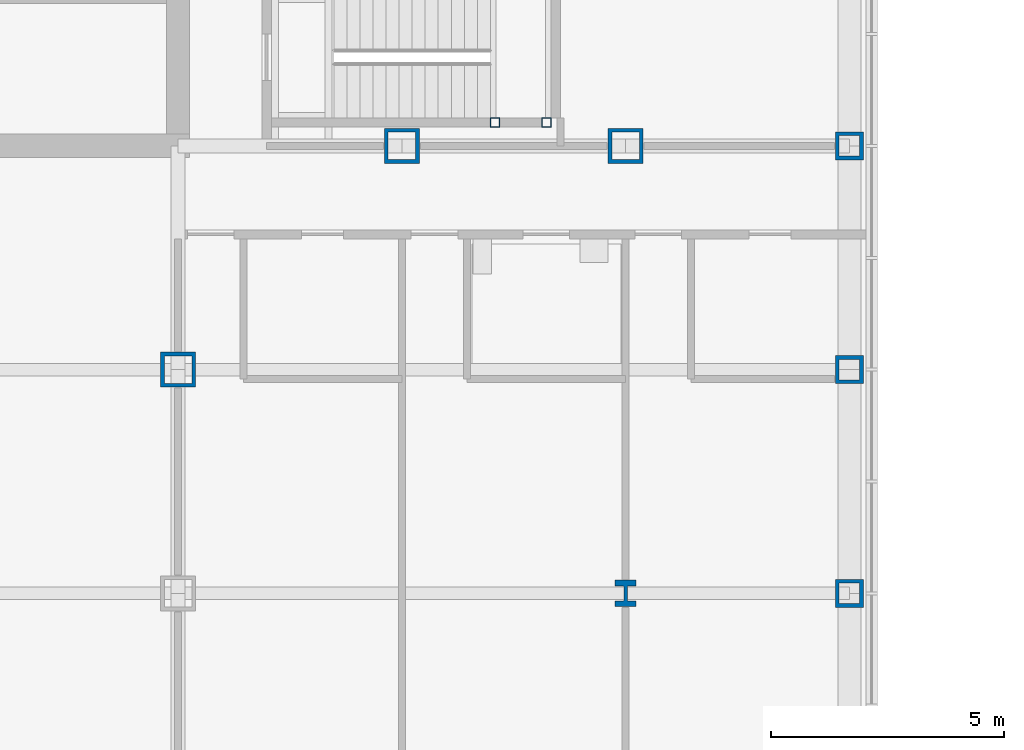
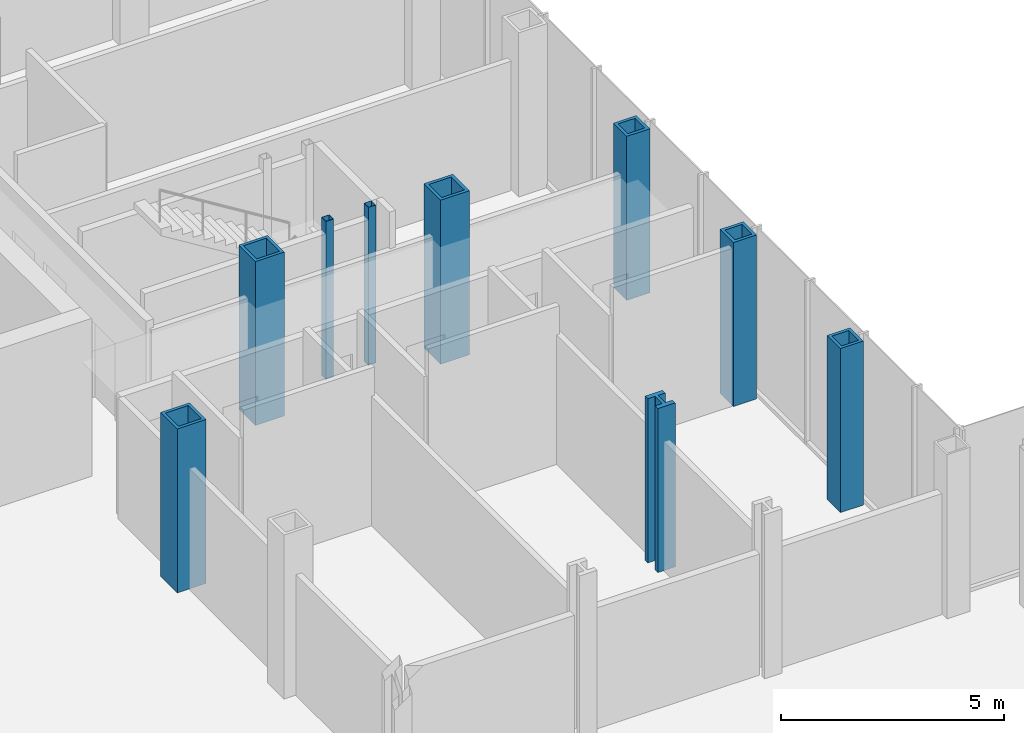
# One storey, part 6 of 25: 9 columns.
"""IFC4 building model written with IfcOpenShell, lengths in metres."""

from ifc_helpers import new_model, si_unit, direction, frame, origin, origin_2d, place, context, subcontext, project, spatial, hollow_rectangle, i_section, extrude, material, material_profile, profile_set, type_object, element, save


model = new_model("IFC4")

# Units and contexts
model_context = context("Model", 3, precision=1e-05, world=origin(), true_north=direction((0.0, 1.0)))
body_context = subcontext(model_context, "Body", "Model", "MODEL_VIEW")
ifc_project = project(units=[si_unit("LENGTHUNIT", "METRE"), si_unit("AREAUNIT", "SQUARE_METRE"), si_unit("VOLUMEUNIT", "CUBIC_METRE"), si_unit("PLANEANGLEUNIT", "RADIAN"), si_unit("MASSUNIT", "GRAM", prefix="KILO")], contexts=[model_context])

# Site, building, storey
site_placement = place(None, origin())
site = spatial("IfcSite", under=ifc_project, at=site_placement, CompositionType="ELEMENT")
building_placement = place(site_placement, origin())
building = spatial("IfcBuilding", under=site, at=building_placement, Name="Kvirike Care Tower", CompositionType="ELEMENT")
storey_placement = place(building_placement, frame((0.0, 0.0, 13.5)))
storey = spatial("IfcBuildingStorey", under=building, at=storey_placement, Name="L03", CompositionType="ELEMENT", Elevation=13.5)

# Columns
ifc_material_1 = material(Name="Steel S460", Category="steel")
ifc_material_profile_1 = material_profile(ifc_material_1, hollow_rectangle(XDim=0.60009765625, YDim=0.60009765625, WallThickness=0.080078125, at=origin_2d()), Name="BX 600x600x80")
ifc_profile_set_1 = profile_set([ifc_material_profile_1], Name="Steel S460")
column_type_1 = type_object("IfcColumnType", Name="COLUMN BX 600x600x80", PredefinedType="COLUMN", material=ifc_profile_set_1)
for number, where, z_axis, x_axis, name in (
    (1, (43.199951171875, 19.199951171875, 0.0), (0.0, 0.0, 1.0), (1.0, 0.0, 0.0), "Column E12 L03"),
    (2, (43.199951171875, 24.0, 0.0), (0.0, 0.0, 1.0), (1.0, 0.0, 0.0), "Column F12 L03"),
    (3, (43.199951171875, 28.800048828125, 0.0), (0.0, 0.0, 1.0), (0.0, 1.0, 0.0), "Column G12 L03"),
):
    element("IfcColumn", number, at=place(storey_placement, frame(where, z_axis=z_axis, x_axis=x_axis)), inside=storey, type_object=column_type_1, Name=name, PredefinedType="COLUMN", context=body_context, shape_type="SweptSolid", body=[
        extrude(hollow_rectangle(XDim=0.60009765625, YDim=0.60009765625, WallThickness=0.080078125, at=origin_2d()), origin(), (0.0, 0.0, 1.0), 4.5),
    ])
ifc_material_2 = material(Name="Steel S460", Category="steel")
ifc_material_profile_2 = material_profile(ifc_material_2, hollow_rectangle(XDim=0.75, YDim=0.75, WallThickness=0.080078125, at=origin_2d()), Name="BX 750x750x80")
ifc_profile_set_2 = profile_set([ifc_material_profile_2], Name="Steel S460")
column_type_2 = type_object("IfcColumnType", Name="COLUMN BX 750x750x80", PredefinedType="COLUMN", material=ifc_profile_set_2)
for number, where, z_axis, x_axis, name in (
    (4, (28.800048828125, 24.0, 0.0), (0.0, 0.0, 1.0), (1.0, 0.0, 0.0), "Column F9 L03"),
    (5, (33.60009765625, 28.800048828125, 0.0), (0.0, 0.0, 1.0), (0.0, 1.0, 0.0), "Column G10 L03"),
    (6, (38.39990234375, 28.800048828125, 0.0), (0.0, 0.0, 1.0), (0.0, 1.0, 0.0), "Column G11 L03"),
):
    element("IfcColumn", number, at=place(storey_placement, frame(where, z_axis=z_axis, x_axis=x_axis)), inside=storey, type_object=column_type_2, Name=name, PredefinedType="COLUMN", context=body_context, shape_type="SweptSolid", body=[
        extrude(hollow_rectangle(XDim=0.75, YDim=0.75, WallThickness=0.080078125, at=origin_2d()), origin(), (0.0, 0.0, 1.0), 4.5),
    ])
ifc_material_3 = material(Name="Steel S460", Category="steel")
ifc_material_profile_3 = material_profile(ifc_material_3, i_section(OverallWidth=0.4541015625, OverallDepth=0.569091796875, WebThickness=0.077880859375, FlangeThickness=0.125, FilletRadius=0.014892578125, at=origin_2d()), Name="HD 400x1086")
ifc_profile_set_3 = profile_set([ifc_material_profile_3], Name="Steel S460")
column_type_3 = type_object("IfcColumnType", Name="COLUMN HD 400x1086", PredefinedType="COLUMN", material=ifc_profile_set_3)
column_placement = place(storey_placement, frame((38.39990234375, 19.199951171875, 0.0), z_axis=(0.0, 0.0, 1.0), x_axis=(1.0, 0.0, 0.0)))
element("IfcColumn", 7, at=column_placement, inside=storey, type_object=column_type_3, Name="Column E11 L03", PredefinedType="COLUMN", context=body_context, shape_type="SweptSolid", body=[
    extrude(i_section(OverallWidth=0.4541015625, OverallDepth=0.569091796875, WebThickness=0.077880859375, FlangeThickness=0.125, FilletRadius=0.014892578125, at=origin_2d()), origin(), (0.0, 0.0, 1.0), 4.5),
])
ifc_material_4 = material(Name="Steel S460", Category="steel")
ifc_material_profile_4 = material_profile(ifc_material_4, hollow_rectangle(XDim=0.199951171875, YDim=0.199951171875, WallThickness=0.008056640625, at=origin_2d()), Name="SHS 200x200x8")
ifc_profile_set_4 = profile_set([ifc_material_profile_4], Name="Steel S460")
column_type_4 = type_object("IfcColumnType", Name="STAIR POST SHS 200x200x8", PredefinedType="COLUMN", material=ifc_profile_set_4)
for number, where, z_axis, x_axis, name in (
    (8, (36.699951171875, 29.300048828125, 0.0), (0.0, 0.0, 1.0), (1.0, 0.0, 0.0), "Stair 2 post 1 L03"),
    (9, (35.60009765625, 29.300048828125, 0.0), (0.0, 0.0, 1.0), (1.0, 0.0, 0.0), "Stair 2 post 3 L03"),
):
    element("IfcColumn", number, at=place(storey_placement, frame(where, z_axis=z_axis, x_axis=x_axis)), inside=storey, type_object=column_type_4, Name=name, PredefinedType="COLUMN", context=body_context, shape_type="SweptSolid", body=[
        extrude(hollow_rectangle(XDim=0.199951171875, YDim=0.199951171875, WallThickness=0.008056640625, at=origin_2d()), origin(), (0.0, 0.0, 1.0), 4.330078125),
    ])

save(model, "model.ifc")
